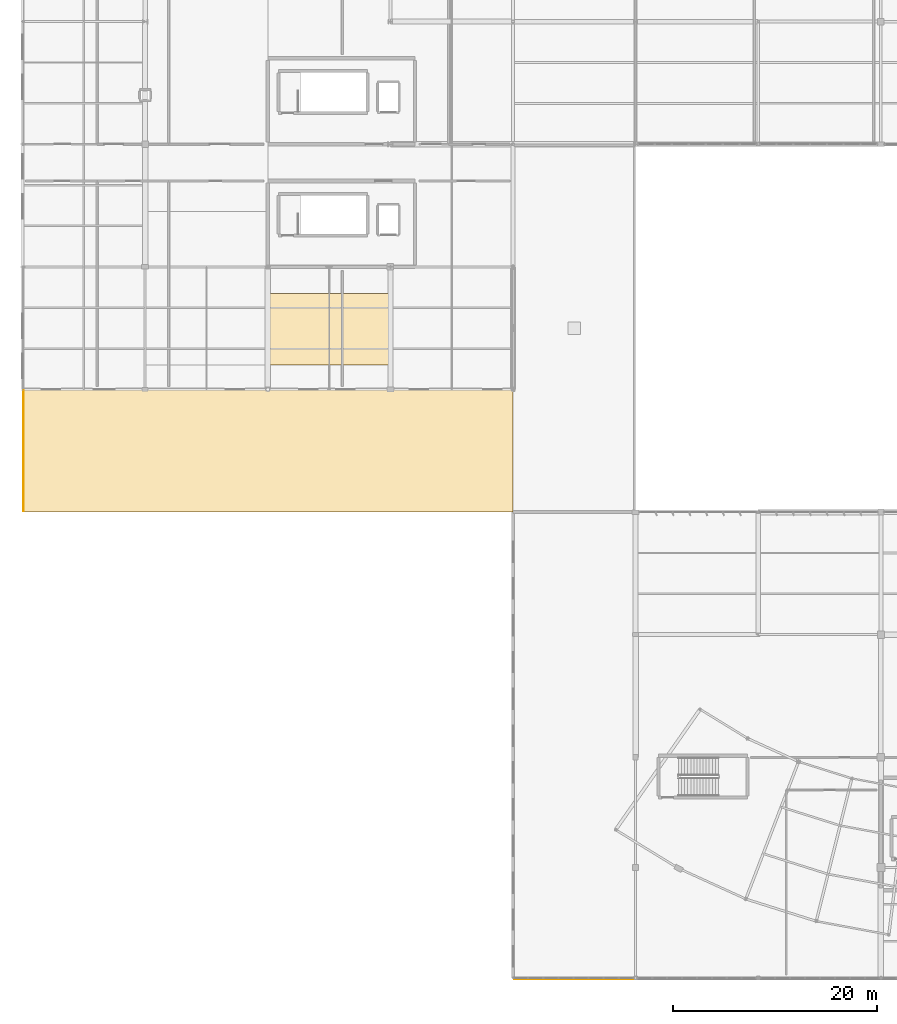
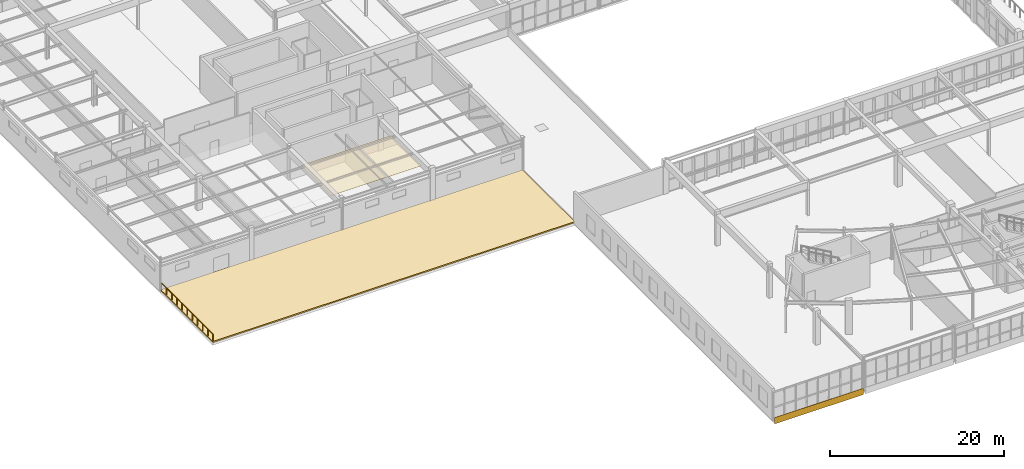
# One storey, part 164 of 186: 3 coverings, 1 railing.
"""IFC4 building model written with IfcOpenShell, lengths in metres."""

from ifc_helpers import new_model, si_unit, direction, frame, origin, origin_2d, place, context, subcontext, project, spatial, polyline, rectangle, circle, outline, extrude, material, layer, layer_set, type_object, element, save


model = new_model("IFC4")

# Units and contexts
model_context = context("Model", 3, precision=1e-05, world=origin(), true_north=direction((0.0, 1.0)))
body_context = subcontext(model_context, "Body", "Model", "MODEL_VIEW")
ifc_project = project(units=[si_unit("LENGTHUNIT", "METRE"), si_unit("AREAUNIT", "SQUARE_METRE"), si_unit("VOLUMEUNIT", "CUBIC_METRE"), si_unit("PLANEANGLEUNIT", "RADIAN"), si_unit("MASSUNIT", "GRAM", prefix="KILO")], contexts=[model_context])

# Site, building, storey
site_placement = place(None, origin())
site = spatial("IfcSite", under=ifc_project, at=site_placement, CompositionType="ELEMENT")
building_placement = place(site_placement, origin())
building = spatial("IfcBuilding", under=site, at=building_placement, Name="Tarnwether General Hospital", CompositionType="ELEMENT")
storey_placement = place(building_placement, frame((0.0, 0.0, 9.60009765625)))
storey = spatial("IfcBuildingStorey", under=building, at=storey_placement, Name="L02", CompositionType="ELEMENT", Elevation=9.60009765625)

# Coverings
ifc_material_1 = material(Name="Folded zinc-titanium cladding")
ifc_layer_1 = layer(ifc_material_1, 0.0400390625)
ifc_layer_set_1 = layer_set([ifc_layer_1], Name="Folded zinc-titanium cladding")
covering_type_1 = type_object("IfcCoveringType", Name="CV-CLD-ZNC", PredefinedType="CLADDING", material=ifc_layer_set_1)
covering_1_placement = place(storey_placement, frame((54.0, -0.090087890625, -0.52001953125), z_axis=(0.0, 0.0, 1.0), x_axis=(1.0, 0.0, 0.0)))
element("IfcCovering", 1, at=covering_1_placement, inside=storey, type_object=covering_type_1, Name="Diagnostic Base Faceted Zinc Spandrel 076", PredefinedType="CLADDING", context=body_context, shape_type="SweptSolid", body=[
    extrude(rectangle(XDim=11.800048828125, YDim=0.0400390625, at=origin_2d()), origin(), (0.0, 0.0, 1.0), 0.8798828125),
])
ifc_material_2 = material(Name="Acoustic mineral fibre tile")
ifc_layer_2 = layer(ifc_material_2, 0.02490234375)
ifc_layer_set_2 = layer_set([ifc_layer_2], Name="Acoustic mineral fibre tile")
covering_type_2 = type_object("IfcCoveringType", Name="CV-CLG-ACT", PredefinedType="CEILING", material=ifc_layer_set_2)
covering_2_placement = place(storey_placement, frame((0.0, 0.0, 3.46484375)))
element("IfcCovering", 2, at=covering_2_placement, inside=storey, type_object=covering_type_2, Name="Acoustic Clinical Ceiling 05", PredefinedType="CEILING", context=body_context, shape_type="SweptSolid", body=[
    extrude(outline(polyline([(24.0, 60.0), (36.0, 60.0), (36.0, 67.0), (24.0, 67.0), (24.0, 60.0)])), origin(), (0.0, 0.0, 1.0), 0.025146484375),
])
ifc_material_3 = material(Name="Planted green roof media")
ifc_layer_3 = layer(ifc_material_3, 0.179931640625)
ifc_layer_set_3 = layer_set([ifc_layer_3], Name="Planted green roof media")
covering_type_3 = type_object("IfcCoveringType", Name="CV-RFG-GRN", PredefinedType="ROOFING", material=ifc_layer_set_3)
covering_3_placement = place(storey_placement, origin())
element("IfcCovering", 3, at=covering_3_placement, inside=storey, type_object=covering_type_3, Name="Roof Covering CV-RFG-GDNW", PredefinedType="ROOFING", context=body_context, shape_type="SweptSolid", body=[
    extrude(outline(polyline([(48.0, 45.60009765625), (48.0, 57.60009765625), (0.0, 57.60009765625), (0.0, 45.60009765625), (48.0, 45.60009765625)])), origin(), (0.0, 0.0, 1.0), 0.179931640625),
])

# Railing
ifc_material_4 = material(Name="Anodised aluminium", Category="aluminium")
railing_type = type_object("IfcRailingType", Name="RL-GRD-EXT", PredefinedType="GUARDRAIL", material=ifc_material_4)
railing_placement = place(storey_placement, frame((0.080078125, 45.679931640625, 0.0)))
element("IfcRailing", 4, at=railing_placement, inside=storey, type_object=railing_type, Name="L02 West Healing Roof Garden SL-L02-GDNW Guard 0012", PredefinedType="GUARDRAIL", context=body_context, shape_type="SweptSolid", body=[
    extrude(circle(Radius=0.02392578125, at=origin_2d()), frame((0.0, 0.0, 1.1259765625), z_axis=(0.0, 1.0, 0.0), x_axis=(-1.0, 0.0, 0.0)), (0.0, 0.0, 1.0), 11.840087890625),
    extrude(circle(Radius=0.02099609375, at=origin_2d()), origin(), (0.0, 0.0, 1.0), 1.101806640625),
    extrude(circle(Radius=0.02099609375, at=origin_2d()), frame((0.0, 1.18408203125, 0.0)), (0.0, 0.0, 1.0), 1.101806640625),
    extrude(circle(Radius=0.02099609375, at=origin_2d()), frame((0.0, 2.367919921875, 0.0)), (0.0, 0.0, 1.0), 1.101806640625),
    extrude(circle(Radius=0.02099609375, at=origin_2d()), frame((0.0, 3.552001953125, 0.0)), (0.0, 0.0, 1.0), 1.101806640625),
    extrude(circle(Radius=0.02099609375, at=origin_2d()), frame((0.0, 4.736083984375, 0.0)), (0.0, 0.0, 1.0), 1.101806640625),
    extrude(circle(Radius=0.02099609375, at=origin_2d()), frame((0.0, 5.919921875, 0.0)), (0.0, 0.0, 1.0), 1.101806640625),
    extrude(circle(Radius=0.02099609375, at=origin_2d()), frame((0.0, 7.10400390625, 0.0)), (0.0, 0.0, 1.0), 1.101806640625),
    extrude(circle(Radius=0.02099609375, at=origin_2d()), frame((0.0, 8.2880859375, 0.0)), (0.0, 0.0, 1.0), 1.101806640625),
    extrude(circle(Radius=0.02099609375, at=origin_2d()), frame((0.0, 9.47216796875, 0.0)), (0.0, 0.0, 1.0), 1.101806640625),
    extrude(circle(Radius=0.02099609375, at=origin_2d()), frame((0.0, 10.656005859375, 0.0)), (0.0, 0.0, 1.0), 1.101806640625),
    extrude(circle(Radius=0.02099609375, at=origin_2d()), frame((0.0, 11.840087890625, 0.0)), (0.0, 0.0, 1.0), 1.101806640625),
])

save(model, "model.ifc")
